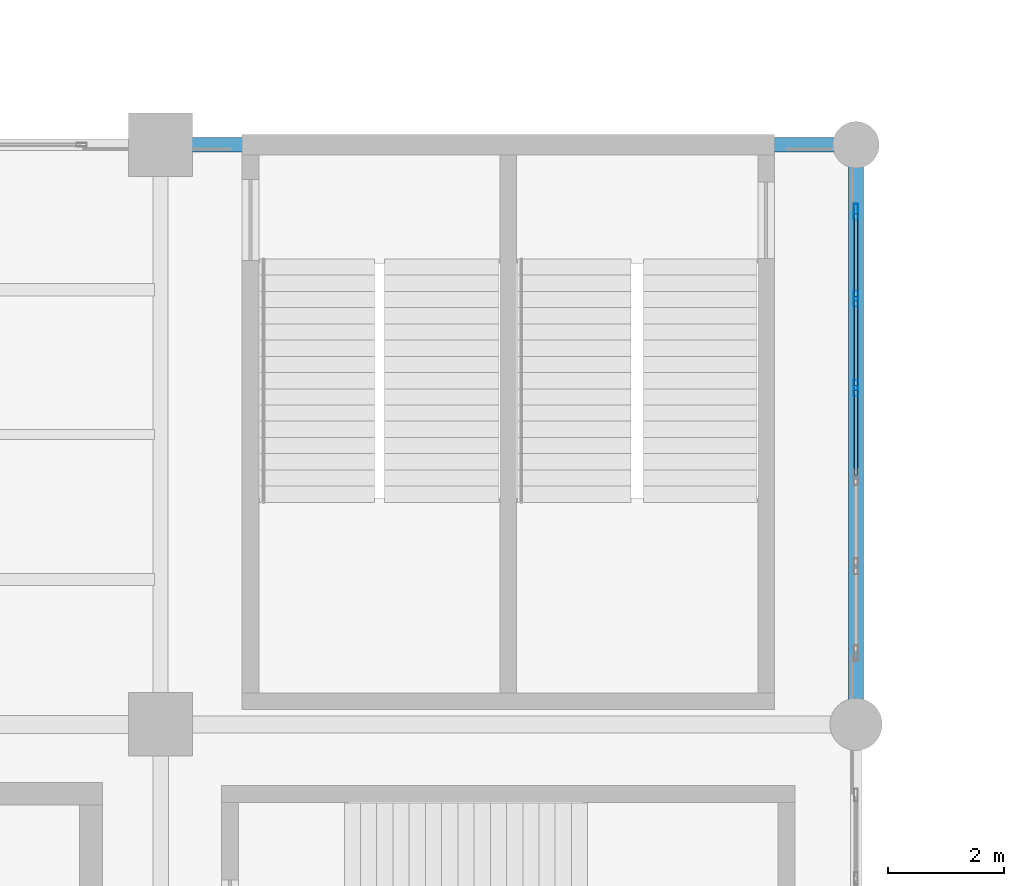
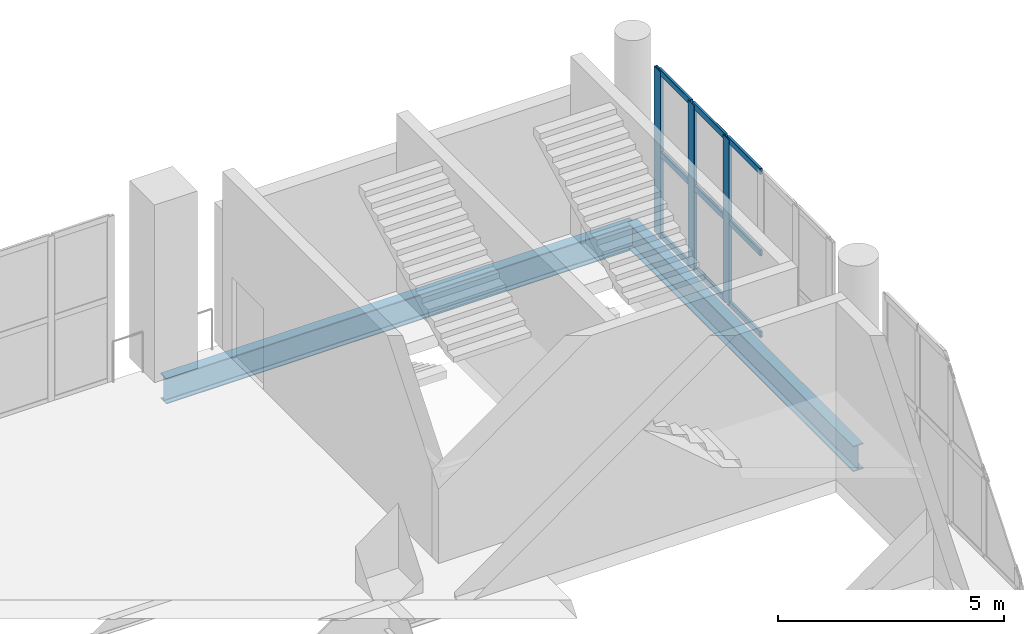
# One storey, part 90 of 136: 12 members, 2 beams, 1 element without a shape of its own.
"""IFC4 building model written with IfcOpenShell, lengths in metres."""

from ifc_helpers import new_model, si_unit, direction, frame, origin, origin_2d, place, context, subcontext, project, spatial, hollow_rectangle, i_section, extrude, material, layer, layer_set, material_profile, profile_set, type_object, element, aggregate, save


model = new_model("IFC4")

# Units and contexts
model_context = context("Model", 3, precision=1e-05, world=origin(), true_north=direction((0.0, 1.0)))
body_context = subcontext(model_context, "Body", "Model", "MODEL_VIEW")
ifc_project = project(units=[si_unit("LENGTHUNIT", "METRE"), si_unit("AREAUNIT", "SQUARE_METRE"), si_unit("VOLUMEUNIT", "CUBIC_METRE"), si_unit("PLANEANGLEUNIT", "RADIAN"), si_unit("MASSUNIT", "GRAM", prefix="KILO")], contexts=[model_context])

# Site, building, storey
site_placement = place(None, origin())
site = spatial("IfcSite", under=ifc_project, at=site_placement, CompositionType="ELEMENT")
building_placement = place(site_placement, origin())
building = spatial("IfcBuilding", under=site, at=building_placement, Name="Brinegate Civic Arena", CompositionType="ELEMENT")
storey_placement = place(building_placement, frame((0.0, 0.0, 5.39990234375)))
storey = spatial("IfcBuildingStorey", under=building, at=storey_placement, Name="L01", CompositionType="ELEMENT", Elevation=5.39990234375)

# Curtain wall, members
ifc_material_1 = material(Name="Marine grade aluminium", Category="aluminium")
ifc_layer = layer(ifc_material_1, 0.199951171875, Name="Marine grade aluminium")
ifc_layer_set = layer_set([ifc_layer], Name="Marine grade aluminium")
curtain_wall_type = type_object("IfcCurtainWallType", Name="CW-BOWL-GLAZED-01", PredefinedType="USERDEFINED", material=ifc_layer_set)
curtain_wall_placement = place(storey_placement, origin())
curtain_wall = element("IfcCurtainWall", 1, at=curtain_wall_placement, inside=storey, type_object=curtain_wall_type, Name="Curtain Wall CWA-061", ObjectType="GLAZED CURTAIN WALL", PredefinedType="USERDEFINED")
ifc_material_profile_1 = material_profile(ifc_material_1, hollow_rectangle(XDim=0.080078125, YDim=0.280029296875, WallThickness=0.007080078125, InnerFilletRadius=0.0048828125, OuterFilletRadius=0.010009765625, at=origin_2d()), Name="MUL80X280")
ifc_profile_set_1 = profile_set([ifc_material_profile_1], Name="Marine grade aluminium")
member_type_1 = type_object("IfcMemberType", Name="CW-MULLION-80X280", PredefinedType="MULLION", material=ifc_profile_set_1)
member_1_placement = place(storey_placement, frame((168.0, 109.8046875, 0.0), z_axis=(0.0, 0.0, 1.0), x_axis=(-1.0, 0.0, 0.0)))
member_1 = element("IfcMember", 2, at=member_1_placement, type_object=member_type_1, Name="CWA-061 mullion 4", PredefinedType="MULLION", context=body_context, shape_type="SweptSolid", body=[
    extrude(hollow_rectangle(XDim=0.080078125, YDim=0.280029296875, WallThickness=0.007080078125, InnerFilletRadius=0.0048828125, OuterFilletRadius=0.010009765625, at=origin_2d()), origin(), (0.0, 0.0, 1.0), 4.47021484375),
])
member_2_placement = place(storey_placement, frame((168.0, 111.344482421875, 0.0), z_axis=(0.0, 0.0, 1.0), x_axis=(-1.0, 0.0, 0.0)))
member_2 = element("IfcMember", 3, at=member_2_placement, type_object=member_type_1, Name="CWA-061 mullion 5", PredefinedType="MULLION", context=body_context, shape_type="SweptSolid", body=[
    extrude(hollow_rectangle(XDim=0.080078125, YDim=0.280029296875, WallThickness=0.007080078125, InnerFilletRadius=0.0048828125, OuterFilletRadius=0.010009765625, at=origin_2d()), origin(), (0.0, 0.0, 1.0), 4.47021484375),
])
member_3_placement = place(storey_placement, frame((168.0, 112.843994140625, 0.0), z_axis=(0.0, 0.0, 1.0), x_axis=(-1.0, 0.0, 0.0)))
member_3 = element("IfcMember", 4, at=member_3_placement, type_object=member_type_1, Name="CWA-061 mullion 6", PredefinedType="MULLION", context=body_context, shape_type="SweptSolid", body=[
    extrude(hollow_rectangle(XDim=0.080078125, YDim=0.280029296875, WallThickness=0.007080078125, InnerFilletRadius=0.0048828125, OuterFilletRadius=0.010009765625, at=origin_2d()), origin(), (0.0, 0.0, 1.0), 4.47021484375),
])
ifc_material_profile_2 = material_profile(ifc_material_1, hollow_rectangle(XDim=0.06494140625, YDim=0.1650390625, WallThickness=0.0048828125, InnerFilletRadius=0.00390625, OuterFilletRadius=0.008056640625, at=origin_2d()), Name="TRN65X165")
ifc_profile_set_2 = profile_set([ifc_material_profile_2], Name="Marine grade aluminium")
member_type_2 = type_object("IfcMemberType", Name="CW-TRANSOM-65X165", PredefinedType="USERDEFINED", material=ifc_profile_set_2)
member_4_placement = place(storey_placement, frame((168.0, 108.30517578125, 0.03271484375), z_axis=(0.0, 1.0, 0.0), x_axis=(-1.0, 0.0, 0.0)))
member_4 = element("IfcMember", 5, at=member_4_placement, type_object=member_type_2, Name="CWA-061 transom 3.1", ObjectType="TRANSOM", PredefinedType="USERDEFINED", context=body_context, shape_type="SweptSolid", body=[
    extrude(hollow_rectangle(XDim=0.06494140625, YDim=0.1650390625, WallThickness=0.0048828125, InnerFilletRadius=0.00390625, OuterFilletRadius=0.008056640625, at=origin_2d()), origin(), (0.0, 0.0, 1.0), 1.459716796875),
])
member_5_placement = place(storey_placement, frame((168.0, 108.30517578125, 2.235107421875), z_axis=(0.0, 1.0, 0.0), x_axis=(-1.0, 0.0, 0.0)))
member_5 = element("IfcMember", 6, at=member_5_placement, type_object=member_type_2, Name="CWA-061 transom 3.2", ObjectType="TRANSOM", PredefinedType="USERDEFINED", context=body_context, shape_type="SweptSolid", body=[
    extrude(hollow_rectangle(XDim=0.06494140625, YDim=0.1650390625, WallThickness=0.0048828125, InnerFilletRadius=0.00390625, OuterFilletRadius=0.008056640625, at=origin_2d()), origin(), (0.0, 0.0, 1.0), 1.459716796875),
])
member_6_placement = place(storey_placement, frame((168.0, 108.30517578125, 4.4375), z_axis=(0.0, 1.0, 0.0), x_axis=(-1.0, 0.0, 0.0)))
member_6 = element("IfcMember", 7, at=member_6_placement, type_object=member_type_2, Name="CWA-061 transom 3.3", ObjectType="TRANSOM", PredefinedType="USERDEFINED", context=body_context, shape_type="SweptSolid", body=[
    extrude(hollow_rectangle(XDim=0.06494140625, YDim=0.1650390625, WallThickness=0.0048828125, InnerFilletRadius=0.00390625, OuterFilletRadius=0.008056640625, at=origin_2d()), origin(), (0.0, 0.0, 1.0), 1.459716796875),
])
member_7_placement = place(storey_placement, frame((168.0, 109.8447265625, 0.03271484375), z_axis=(0.0, 1.0, 0.0), x_axis=(-1.0, 0.0, 0.0)))
member_7 = element("IfcMember", 8, at=member_7_placement, type_object=member_type_2, Name="CWA-061 transom 4.1", ObjectType="TRANSOM", PredefinedType="USERDEFINED", context=body_context, shape_type="SweptSolid", body=[
    extrude(hollow_rectangle(XDim=0.06494140625, YDim=0.1650390625, WallThickness=0.0048828125, InnerFilletRadius=0.00390625, OuterFilletRadius=0.008056640625, at=origin_2d()), origin(), (0.0, 0.0, 1.0), 1.459716796875),
])
member_8_placement = place(storey_placement, frame((168.0, 109.8447265625, 2.235107421875), z_axis=(0.0, 1.0, 0.0), x_axis=(-1.0, 0.0, 0.0)))
member_8 = element("IfcMember", 9, at=member_8_placement, type_object=member_type_2, Name="CWA-061 transom 4.2", ObjectType="TRANSOM", PredefinedType="USERDEFINED", context=body_context, shape_type="SweptSolid", body=[
    extrude(hollow_rectangle(XDim=0.06494140625, YDim=0.1650390625, WallThickness=0.0048828125, InnerFilletRadius=0.00390625, OuterFilletRadius=0.008056640625, at=origin_2d()), origin(), (0.0, 0.0, 1.0), 1.459716796875),
])
member_9_placement = place(storey_placement, frame((168.0, 109.8447265625, 4.4375), z_axis=(0.0, 1.0, 0.0), x_axis=(-1.0, 0.0, 0.0)))
member_9 = element("IfcMember", 10, at=member_9_placement, type_object=member_type_2, Name="CWA-061 transom 4.3", ObjectType="TRANSOM", PredefinedType="USERDEFINED", context=body_context, shape_type="SweptSolid", body=[
    extrude(hollow_rectangle(XDim=0.06494140625, YDim=0.1650390625, WallThickness=0.0048828125, InnerFilletRadius=0.00390625, OuterFilletRadius=0.008056640625, at=origin_2d()), origin(), (0.0, 0.0, 1.0), 1.459716796875),
])
member_10_placement = place(storey_placement, frame((168.0, 111.384521484375, 0.03271484375), z_axis=(0.0, 1.0, 0.0), x_axis=(-1.0, 0.0, 0.0)))
member_10 = element("IfcMember", 11, at=member_10_placement, type_object=member_type_2, Name="CWA-061 transom 5.1", ObjectType="TRANSOM", PredefinedType="USERDEFINED", context=body_context, shape_type="SweptSolid", body=[
    extrude(hollow_rectangle(XDim=0.06494140625, YDim=0.1650390625, WallThickness=0.0048828125, InnerFilletRadius=0.00390625, OuterFilletRadius=0.008056640625, at=origin_2d()), origin(), (0.0, 0.0, 1.0), 1.41943359375),
])
member_11_placement = place(storey_placement, frame((168.0, 111.384521484375, 2.235107421875), z_axis=(0.0, 1.0, 0.0), x_axis=(-1.0, 0.0, 0.0)))
member_11 = element("IfcMember", 12, at=member_11_placement, type_object=member_type_2, Name="CWA-061 transom 5.2", ObjectType="TRANSOM", PredefinedType="USERDEFINED", context=body_context, shape_type="SweptSolid", body=[
    extrude(hollow_rectangle(XDim=0.06494140625, YDim=0.1650390625, WallThickness=0.0048828125, InnerFilletRadius=0.00390625, OuterFilletRadius=0.008056640625, at=origin_2d()), origin(), (0.0, 0.0, 1.0), 1.41943359375),
])
member_12_placement = place(storey_placement, frame((168.0, 111.384521484375, 4.4375), z_axis=(0.0, 1.0, 0.0), x_axis=(-1.0, 0.0, 0.0)))
member_12 = element("IfcMember", 13, at=member_12_placement, type_object=member_type_2, Name="CWA-061 transom 5.3", ObjectType="TRANSOM", PredefinedType="USERDEFINED", context=body_context, shape_type="SweptSolid", body=[
    extrude(hollow_rectangle(XDim=0.06494140625, YDim=0.1650390625, WallThickness=0.0048828125, InnerFilletRadius=0.00390625, OuterFilletRadius=0.008056640625, at=origin_2d()), origin(), (0.0, 0.0, 1.0), 1.41943359375),
])
aggregate(curtain_wall, [member_1, member_2, member_3, member_4, member_5, member_6, member_7, member_8, member_9, member_10, member_11, member_12])

# Beams
ifc_material_2 = material(Name="Steel S355", Category="steel")
ifc_material_profile_3 = material_profile(ifc_material_2, i_section(OverallWidth=0.256103515625, OverallDepth=0.693115234375, WebThickness=0.014892578125, FlangeThickness=0.02392578125, FilletRadius=0.01806640625, at=origin_2d()), Name="W690X170")
ifc_profile_set_3 = profile_set([ifc_material_profile_3], Name="Steel S355")
beam_type = type_object("IfcBeamType", Name="SPANDREL-W690X170", PredefinedType="SPANDREL", material=ifc_profile_set_3)
beam_1_placement = place(storey_placement, frame((156.0, 114.0, -0.685791015625), z_axis=(1.0, 0.0, 0.0), x_axis=(0.0, 1.0, 0.0)))
element("IfcBeam", 14, at=beam_1_placement, inside=storey, type_object=beam_type, Name="Floor Girder BM-L01-GX-13-11", PredefinedType="SPANDREL", context=body_context, shape_type="SweptSolid", body=[
    extrude(i_section(OverallWidth=0.256103515625, OverallDepth=0.693115234375, WebThickness=0.014892578125, FlangeThickness=0.02392578125, FilletRadius=0.01806640625, at=origin_2d()), origin(), (0.0, 0.0, 1.0), 12.0),
])
beam_2_placement = place(storey_placement, frame((168.0, 104.0, -0.685791015625), z_axis=(0.0, 1.0, 0.0), x_axis=(-1.0, 0.0, 0.0)))
element("IfcBeam", 15, at=beam_2_placement, inside=storey, type_object=beam_type, Name="Floor Girder BM-L01-GY-14-10", PredefinedType="SPANDREL", context=body_context, shape_type="SweptSolid", body=[
    extrude(i_section(OverallWidth=0.256103515625, OverallDepth=0.693115234375, WebThickness=0.014892578125, FlangeThickness=0.02392578125, FilletRadius=0.01806640625, at=origin_2d()), origin(), (0.0, 0.0, 1.0), 10.0),
])

save(model, "model.ifc")
